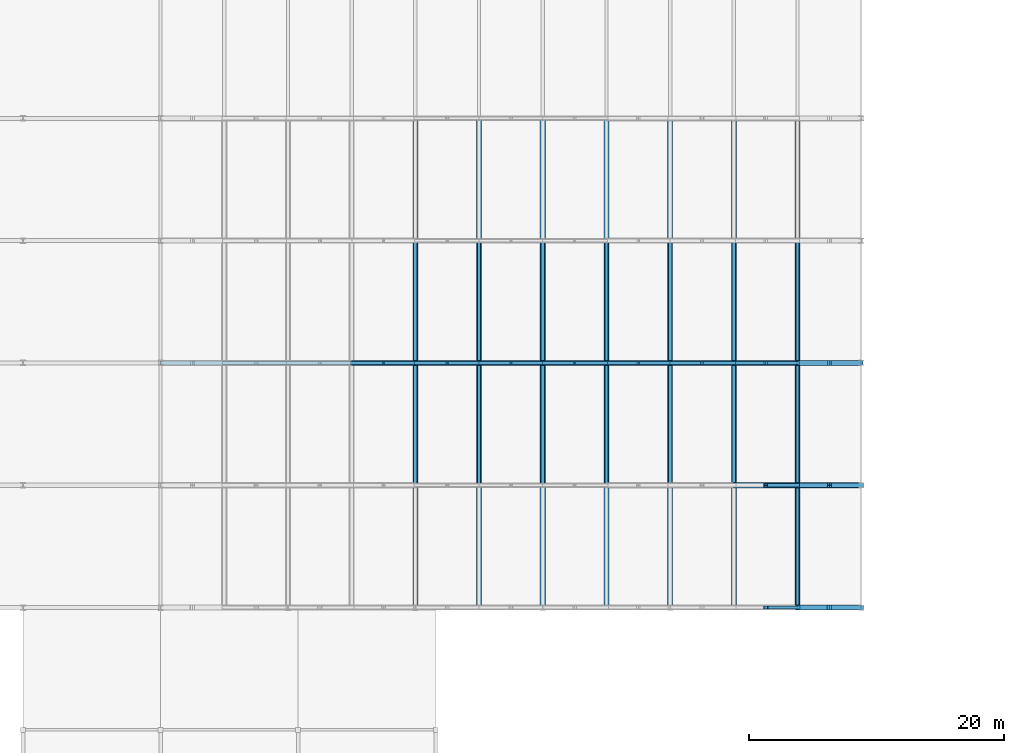
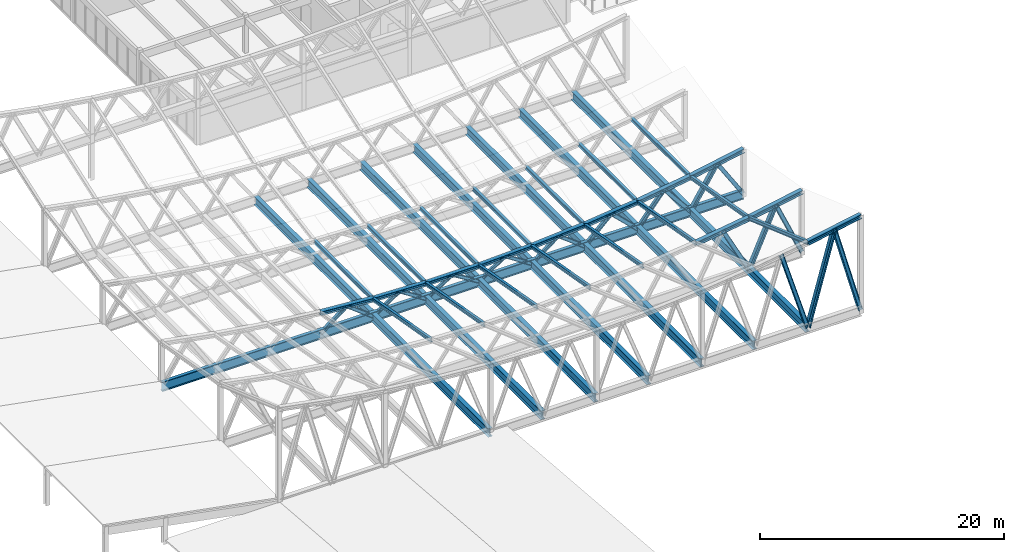
# One storey, part 9 of 40: 48 members, 8 beams, 1 element without a shape of its own.
"""IFC4 building model written with IfcOpenShell, lengths in metres."""

from ifc_helpers import new_model, si_unit, direction, frame, origin, origin_2d, place, context, subcontext, project, spatial, i_section, extrude, material, material_profile, profile_set, type_object, element, aggregate, save


model = new_model("IFC4")

# Units and contexts
model_context = context("Model", 3, precision=1e-05, world=origin(), true_north=direction((0.0, 1.0)))
body_context = subcontext(model_context, "Body", "Model", "MODEL_VIEW")
ifc_project = project(units=[si_unit("LENGTHUNIT", "METRE"), si_unit("AREAUNIT", "SQUARE_METRE"), si_unit("VOLUMEUNIT", "CUBIC_METRE"), si_unit("PLANEANGLEUNIT", "RADIAN"), si_unit("MASSUNIT", "GRAM", prefix="KILO")], contexts=[model_context])

# Site, building, storey
site_placement = place(None, origin())
site = spatial("IfcSite", under=ifc_project, at=site_placement, CompositionType="ELEMENT")
building_placement = place(site_placement, origin())
building = spatial("IfcBuilding", under=site, at=building_placement, Name="Veldera Park Congress Hotel", CompositionType="ELEMENT")
storey_placement = place(building_placement, frame((0.0, 0.0, 16.199951171875)))
storey = spatial("IfcBuildingStorey", under=building, at=storey_placement, Name="L03", CompositionType="ELEMENT", Elevation=16.199951171875)

# Beams
ifc_material_1 = material(Name="Steel ASTM A992 Gr.50", Category="steel")
ifc_material_profile_1 = material_profile(ifc_material_1, i_section(OverallWidth=0.40087890625, OverallDepth=0.85498046875, WebThickness=0.018310546875, FlangeThickness=0.029296875, at=origin_2d()), Name="W33X201")
ifc_profile_set_1 = profile_set([ifc_material_profile_1], Name="Steel ASTM A992 Gr.50")
beam_type_1 = type_object("IfcBeamType", Name="BM-W33", PredefinedType="BEAM", material=ifc_profile_set_1)
for number, where, z_axis, x_axis, name in (
    (1, (-47.39990234375, -21.0, 0.25), (0.0, 1.0, 0.0), (-1.0, 0.0, 0.0), "Plenary Space Frame Transverse Spine Girder 4"),
    (2, (-42.39990234375, -21.0, 0.25), (0.0, 1.0, 0.0), (-1.0, 0.0, 0.0), "Plenary Space Frame Transverse Spine Girder 5"),
    (3, (-37.39990234375, -21.0, 0.25), (0.0, 1.0, 0.0), (-1.0, 0.0, 0.0), "Plenary Space Frame Transverse Spine Girder 6"),
    (4, (-32.39990234375, -21.0, 0.25), (0.0, 1.0, 0.0), (-1.0, 0.0, 0.0), "Plenary Space Frame Transverse Spine Girder 7"),
    (5, (-27.39990234375, -21.0, 0.25), (0.0, 1.0, 0.0), (-1.0, 0.0, 0.0), "Plenary Space Frame Transverse Spine Girder 8"),
    (6, (-22.39990234375, -21.0, 0.25), (0.0, 1.0, 0.0), (-1.0, 0.0, 0.0), "Plenary Space Frame Transverse Spine Girder 9"),
    (7, (-17.39990234375, -21.0, 0.25), (0.0, 1.0, 0.0), (-1.0, 0.0, 0.0), "Plenary Space Frame Transverse Spine Girder 10"),
):
    element("IfcBeam", number, at=place(storey_placement, frame(where, z_axis=z_axis, x_axis=x_axis)), inside=storey, type_object=beam_type_1, Name=name, PredefinedType="BEAM", context=body_context, shape_type="SweptSolid", body=[
        extrude(i_section(OverallWidth=0.40087890625, OverallDepth=0.85498046875, WebThickness=0.018310546875, FlangeThickness=0.029296875, at=origin_2d()), origin(), (0.0, 0.0, 1.0), 38.39990234375),
    ])
ifc_material_profile_2 = material_profile(ifc_material_1, i_section(OverallWidth=0.31005859375, OverallDepth=0.949951171875, WebThickness=0.0244140625, FlangeThickness=0.0439453125, at=origin_2d()), Name="W36X256")
ifc_profile_set_2 = profile_set([ifc_material_profile_2], Name="Steel ASTM A992 Gr.50")
beam_type_2 = type_object("IfcBeamType", Name="BM-W36", PredefinedType="BEAM", material=ifc_profile_set_2)
beam_placement = place(storey_placement, frame((-67.39990234375, -1.800048828125, 0.25), z_axis=(1.0, 0.0, 0.0), x_axis=(0.0, 1.0, 0.0)))
element("IfcBeam", 8, at=beam_placement, inside=storey, type_object=beam_type_2, Name="Plenary Space Frame Main Bottom Tie Girder 3", PredefinedType="BEAM", context=body_context, shape_type="SweptSolid", body=[
    extrude(i_section(OverallWidth=0.31005859375, OverallDepth=0.949951171875, WebThickness=0.0244140625, FlangeThickness=0.0439453125, at=origin_2d()), origin(), (0.0, 0.0, 1.0), 55.0),
])

# Roof, members
ifc_material_2 = material(Name="Cross-laminated timber CLT V2M1.1", Category="wood")
roof_type = type_object("IfcRoofType", Name="ROOF-PAV", PredefinedType="PAVILION_ROOF", material=ifc_material_2)
roof_placement = place(storey_placement, origin())
roof = element("IfcRoof", 9, at=roof_placement, inside=storey, type_object=roof_type, Name="Plenary Congress Pavilion Sweeping Space Frame Roof", PredefinedType="PAVILION_ROOF")
ifc_material_profile_3 = material_profile(ifc_material_1, i_section(OverallWidth=0.3740234375, OverallDepth=0.3720703125, WebThickness=0.016357421875, FlangeThickness=0.026123046875, at=origin_2d()), Name="W14X132")
ifc_profile_set_3 = profile_set([ifc_material_profile_3], Name="Steel ASTM A992 Gr.50")
member_type_1 = type_object("IfcMemberType", Name="TR-CHD132", PredefinedType="CHORD", material=ifc_profile_set_3)
member_1_placement = place(storey_placement, frame((-47.39990234375, -1.800048828125, 1.968505859375), z_axis=(0.999315769236, 0.0, -0.036986394193), x_axis=(0.0, 1.0, 0.0)))
member_1 = element("IfcMember", 10, at=member_1_placement, type_object=member_type_1, Name="Plenary Roof Space Frame Top Chord 27", PredefinedType="CHORD", context=body_context, shape_type="SweptSolid", body=[
    extrude(i_section(OverallWidth=0.3740234375, OverallDepth=0.3720703125, WebThickness=0.016357421875, FlangeThickness=0.026123046875, at=origin_2d()), origin(), (0.0, 0.0, 1.0), 5.00341796875),
])
member_2_placement = place(storey_placement, frame((-42.39990234375, -1.800048828125, 1.783447265625), z_axis=(0.999999694824, 0.0, 0.000781249762), x_axis=(0.0, 1.0, 0.0)))
member_2 = element("IfcMember", 11, at=member_2_placement, type_object=member_type_1, Name="Plenary Roof Space Frame Top Chord 28", PredefinedType="CHORD", context=body_context, shape_type="SweptSolid", body=[
    extrude(i_section(OverallWidth=0.3740234375, OverallDepth=0.3720703125, WebThickness=0.016357421875, FlangeThickness=0.026123046875, at=origin_2d()), origin(), (0.0, 0.0, 1.0), 5.0),
])
member_3_placement = place(storey_placement, frame((-37.39990234375, -1.800048828125, 1.787353515625), z_axis=(0.999260597951, 0.0, 0.038448112851), x_axis=(0.0, 1.0, 0.0)))
member_3 = element("IfcMember", 12, at=member_3_placement, type_object=member_type_1, Name="Plenary Roof Space Frame Top Chord 29", PredefinedType="CHORD", context=body_context, shape_type="SweptSolid", body=[
    extrude(i_section(OverallWidth=0.3740234375, OverallDepth=0.3720703125, WebThickness=0.016357421875, FlangeThickness=0.026123046875, at=origin_2d()), origin(), (0.0, 0.0, 1.0), 5.003662109375),
])
ifc_material_profile_4 = material_profile(ifc_material_1, i_section(OverallWidth=0.39599609375, OverallDepth=0.381103515625, WebThickness=0.018798828125, FlangeThickness=0.0302734375, at=origin_2d()), Name="W14X159")
ifc_profile_set_4 = profile_set([ifc_material_profile_4], Name="Steel ASTM A992 Gr.50")
member_type_2 = type_object("IfcMemberType", Name="TR-CHD159", PredefinedType="CHORD", material=ifc_profile_set_4)
member_4_placement = place(storey_placement, frame((-52.39990234375, -1.800048828125, 2.342041015625), z_axis=(0.997221056601, 0.0, -0.074499424639), x_axis=(0.0, 1.0, 0.0)))
member_4 = element("IfcMember", 13, at=member_4_placement, type_object=member_type_2, Name="Plenary Roof Space Frame Top Chord 26", PredefinedType="CHORD", context=body_context, shape_type="SweptSolid", body=[
    extrude(i_section(OverallWidth=0.39599609375, OverallDepth=0.381103515625, WebThickness=0.018798828125, FlangeThickness=0.0302734375, at=origin_2d()), origin(), (0.0, 0.0, 1.0), 5.013916015625),
])
member_5_placement = place(storey_placement, frame((-32.39990234375, -1.800048828125, 1.979736328125), z_axis=(0.99710410734, 0.0, 0.076048662874), x_axis=(0.0, 1.0, 0.0)))
member_5 = element("IfcMember", 14, at=member_5_placement, type_object=member_type_2, Name="Plenary Roof Space Frame Top Chord 30", PredefinedType="CHORD", context=body_context, shape_type="SweptSolid", body=[
    extrude(i_section(OverallWidth=0.39599609375, OverallDepth=0.381103515625, WebThickness=0.018798828125, FlangeThickness=0.0302734375, at=origin_2d()), origin(), (0.0, 0.0, 1.0), 5.014404296875),
])
ifc_material_profile_5 = material_profile(ifc_material_1, i_section(OverallWidth=0.39697265625, OverallDepth=0.386962890625, WebThickness=0.02099609375, FlangeThickness=0.033203125, at=origin_2d()), Name="W14X176")
ifc_profile_set_5 = profile_set([ifc_material_profile_5], Name="Steel ASTM A992 Gr.50")
member_type_3 = type_object("IfcMemberType", Name="TR-CHD176", PredefinedType="CHORD", material=ifc_profile_set_5)
member_6_placement = place(storey_placement, frame((-27.39990234375, -1.800048828125, 2.361083984375), z_axis=(0.993563129002, 0.0, 0.113279780577), x_axis=(0.0, 1.0, 0.0)))
member_6 = element("IfcMember", 15, at=member_6_placement, type_object=member_type_3, Name="Plenary Roof Space Frame Top Chord 31", PredefinedType="CHORD", context=body_context, shape_type="SweptSolid", body=[
    extrude(i_section(OverallWidth=0.39697265625, OverallDepth=0.386962890625, WebThickness=0.02099609375, FlangeThickness=0.033203125, at=origin_2d()), origin(), (0.0, 0.0, 1.0), 5.032470703125),
])
ifc_material_profile_6 = material_profile(ifc_material_1, i_section(OverallWidth=0.40087890625, OverallDepth=0.39892578125, WebThickness=0.02490234375, FlangeThickness=0.03955078125, at=origin_2d()), Name="W14X211")
ifc_profile_set_6 = profile_set([ifc_material_profile_6], Name="Steel ASTM A992 Gr.50")
member_type_4 = type_object("IfcMemberType", Name="TR-CHD211", PredefinedType="CHORD", material=ifc_profile_set_6)
member_7_placement = place(storey_placement, frame((-22.39990234375, -11.39990234375, 4.62451171875), z_axis=(0.98868710173, 0.0, 0.149992716068), x_axis=(0.0, 1.0, 0.0)))
member_7 = element("IfcMember", 16, at=member_7_placement, type_object=member_type_4, Name="Plenary Roof Space Frame Top Chord 21", PredefinedType="CHORD", context=body_context, shape_type="SweptSolid", body=[
    extrude(i_section(OverallWidth=0.40087890625, OverallDepth=0.39892578125, WebThickness=0.02490234375, FlangeThickness=0.03955078125, at=origin_2d()), origin(), (0.0, 0.0, 1.0), 5.05712890625),
])
member_8_placement = place(storey_placement, frame((-22.39990234375, -1.800048828125, 2.93115234375), z_axis=(0.98868710173, 0.0, 0.149992716068), x_axis=(0.0, 1.0, 0.0)))
member_8 = element("IfcMember", 17, at=member_8_placement, type_object=member_type_4, Name="Plenary Roof Space Frame Top Chord 32", PredefinedType="CHORD", context=body_context, shape_type="SweptSolid", body=[
    extrude(i_section(OverallWidth=0.40087890625, OverallDepth=0.39892578125, WebThickness=0.02490234375, FlangeThickness=0.03955078125, at=origin_2d()), origin(), (0.0, 0.0, 1.0), 5.05712890625),
])
ifc_material_profile_7 = material_profile(ifc_material_1, i_section(OverallWidth=0.404052734375, OverallDepth=0.406982421875, WebThickness=0.027099609375, FlangeThickness=0.043701171875, at=origin_2d()), Name="W14X233")
ifc_profile_set_7 = profile_set([ifc_material_profile_7], Name="Steel ASTM A992 Gr.50")
member_type_5 = type_object("IfcMemberType", Name="TR-CHD233", PredefinedType="CHORD", material=ifc_profile_set_7)
member_9_placement = place(storey_placement, frame((-17.39990234375, -21.0, 8.77001953125), z_axis=(0.982514072984, 0.0, 0.186188335803), x_axis=(0.0, 1.0, 0.0)))
member_9 = element("IfcMember", 18, at=member_9_placement, type_object=member_type_5, Name="Plenary Roof Space Frame Top Chord 11", PredefinedType="CHORD", context=body_context, shape_type="SweptSolid", body=[
    extrude(i_section(OverallWidth=0.404052734375, OverallDepth=0.406982421875, WebThickness=0.027099609375, FlangeThickness=0.043701171875, at=origin_2d()), origin(), (0.0, 0.0, 1.0), 5.0888671875),
])
member_10_placement = place(storey_placement, frame((-17.39990234375, -11.39990234375, 5.383056640625), z_axis=(0.982514072984, 0.0, 0.186188335803), x_axis=(0.0, 1.0, 0.0)))
member_10 = element("IfcMember", 19, at=member_10_placement, type_object=member_type_5, Name="Plenary Roof Space Frame Top Chord 22", PredefinedType="CHORD", context=body_context, shape_type="SweptSolid", body=[
    extrude(i_section(OverallWidth=0.404052734375, OverallDepth=0.406982421875, WebThickness=0.027099609375, FlangeThickness=0.043701171875, at=origin_2d()), origin(), (0.0, 0.0, 1.0), 5.0888671875),
])
member_11_placement = place(storey_placement, frame((-17.39990234375, -1.800048828125, 3.689697265625), z_axis=(0.982514072984, 0.0, 0.186188335803), x_axis=(0.0, 1.0, 0.0)))
member_11 = element("IfcMember", 20, at=member_11_placement, type_object=member_type_5, Name="Plenary Roof Space Frame Top Chord 33", PredefinedType="CHORD", context=body_context, shape_type="SweptSolid", body=[
    extrude(i_section(OverallWidth=0.404052734375, OverallDepth=0.406982421875, WebThickness=0.027099609375, FlangeThickness=0.043701171875, at=origin_2d()), origin(), (0.0, 0.0, 1.0), 5.0888671875),
])
ifc_material_profile_8 = material_profile(ifc_material_1, i_section(OverallWidth=0.205078125, OverallDepth=0.31005859375, WebThickness=0.009521484375, FlangeThickness=0.016357421875, at=origin_2d()), Name="W12X50")
ifc_profile_set_8 = profile_set([ifc_material_profile_8], Name="Steel ASTM A992 Gr.50")
member_type_6 = type_object("IfcMemberType", Name="TR-WEB50", PredefinedType="MEMBER", material=ifc_profile_set_8)
member_12_placement = place(storey_placement, frame((-47.39990234375, -1.800048828125, 0.25), z_axis=(0.838293955121, 0.0, 0.545218529405), x_axis=(0.0, 1.0, 0.0)))
member_12 = element("IfcMember", 21, at=member_12_placement, type_object=member_type_6, Name="Plenary Roof Space Frame Web A 27", PredefinedType="MEMBER", context=body_context, shape_type="SweptSolid", body=[
    extrude(i_section(OverallWidth=0.205078125, OverallDepth=0.31005859375, WebThickness=0.009521484375, FlangeThickness=0.016357421875, at=origin_2d()), origin(), (0.0, 0.0, 1.0), 2.982177734375),
])
member_13_placement = place(storey_placement, frame((-42.39990234375, -1.800048828125, 0.25), z_axis=(-0.838293955121, 0.0, 0.545218529405), x_axis=(0.0, -1.0, 0.0)))
member_13 = element("IfcMember", 22, at=member_13_placement, type_object=member_type_6, Name="Plenary Roof Space Frame Web B 27", PredefinedType="MEMBER", context=body_context, shape_type="SweptSolid", body=[
    extrude(i_section(OverallWidth=0.205078125, OverallDepth=0.31005859375, WebThickness=0.009521484375, FlangeThickness=0.016357421875, at=origin_2d()), origin(), (0.0, 0.0, 1.0), 2.982177734375),
])
member_14_placement = place(storey_placement, frame((-42.39990234375, -1.800048828125, 0.25), z_axis=(0.852123699887, 0.0, 0.523340424667), x_axis=(0.0, 1.0, 0.0)))
member_14 = element("IfcMember", 23, at=member_14_placement, type_object=member_type_6, Name="Plenary Roof Space Frame Web A 28", PredefinedType="MEMBER", context=body_context, shape_type="SweptSolid", body=[
    extrude(i_section(OverallWidth=0.205078125, OverallDepth=0.31005859375, WebThickness=0.009521484375, FlangeThickness=0.016357421875, at=origin_2d()), origin(), (0.0, 0.0, 1.0), 2.933837890625),
])
member_15_placement = place(storey_placement, frame((-37.39990234375, -1.800048828125, 0.25), z_axis=(-0.852123699887, 0.0, 0.523340424667), x_axis=(0.0, -1.0, 0.0)))
member_15 = element("IfcMember", 24, at=member_15_placement, type_object=member_type_6, Name="Plenary Roof Space Frame Web B 28", PredefinedType="MEMBER", context=body_context, shape_type="SweptSolid", body=[
    extrude(i_section(OverallWidth=0.205078125, OverallDepth=0.31005859375, WebThickness=0.009521484375, FlangeThickness=0.016357421875, at=origin_2d()), origin(), (0.0, 0.0, 1.0), 2.933837890625),
])
member_16_placement = place(storey_placement, frame((-37.39990234375, -1.800048828125, 0.25), z_axis=(0.837133756726, 0.0, 0.546998238892), x_axis=(0.0, 1.0, 0.0)))
member_16 = element("IfcMember", 25, at=member_16_placement, type_object=member_type_6, Name="Plenary Roof Space Frame Web A 29", PredefinedType="MEMBER", context=body_context, shape_type="SweptSolid", body=[
    extrude(i_section(OverallWidth=0.205078125, OverallDepth=0.31005859375, WebThickness=0.009521484375, FlangeThickness=0.016357421875, at=origin_2d()), origin(), (0.0, 0.0, 1.0), 2.986328125),
])
member_17_placement = place(storey_placement, frame((-32.39990234375, -1.800048828125, 0.25), z_axis=(-0.837133756726, 0.0, 0.546998238892), x_axis=(0.0, -1.0, 0.0)))
member_17 = element("IfcMember", 26, at=member_17_placement, type_object=member_type_6, Name="Plenary Roof Space Frame Web B 29", PredefinedType="MEMBER", context=body_context, shape_type="SweptSolid", body=[
    extrude(i_section(OverallWidth=0.205078125, OverallDepth=0.31005859375, WebThickness=0.009521484375, FlangeThickness=0.016357421875, at=origin_2d()), origin(), (0.0, 0.0, 1.0), 2.986328125),
])
ifc_material_profile_9 = material_profile(ifc_material_1, i_section(OverallWidth=0.25390625, OverallDepth=0.31005859375, WebThickness=0.009033203125, FlangeThickness=0.016357421875, at=origin_2d()), Name="W12X58")
ifc_profile_set_9 = profile_set([ifc_material_profile_9], Name="Steel ASTM A992 Gr.50")
member_type_7 = type_object("IfcMemberType", Name="TR-WEB58", PredefinedType="MEMBER", material=ifc_profile_set_9)
member_18_placement = place(storey_placement, frame((-52.39990234375, -1.800048828125, 0.25), z_axis=(0.795353262096, 0.0, 0.60614617748), x_axis=(0.0, 1.0, 0.0)))
member_18 = element("IfcMember", 27, at=member_18_placement, type_object=member_type_7, Name="Plenary Roof Space Frame Web A 26", PredefinedType="MEMBER", context=body_context, shape_type="SweptSolid", body=[
    extrude(i_section(OverallWidth=0.25390625, OverallDepth=0.31005859375, WebThickness=0.009033203125, FlangeThickness=0.016357421875, at=origin_2d()), origin(), (0.0, 0.0, 1.0), 3.143310546875),
])
member_19_placement = place(storey_placement, frame((-47.39990234375, -1.800048828125, 0.25), z_axis=(-0.795353262096, 0.0, 0.60614617748), x_axis=(0.0, -1.0, 0.0)))
member_19 = element("IfcMember", 28, at=member_19_placement, type_object=member_type_7, Name="Plenary Roof Space Frame Web B 26", PredefinedType="MEMBER", context=body_context, shape_type="SweptSolid", body=[
    extrude(i_section(OverallWidth=0.25390625, OverallDepth=0.31005859375, WebThickness=0.009033203125, FlangeThickness=0.016357421875, at=origin_2d()), origin(), (0.0, 0.0, 1.0), 3.143310546875),
])
member_20_placement = place(storey_placement, frame((-32.39990234375, -1.800048828125, 0.25), z_axis=(0.793032626251, 0.0, 0.609179163876), x_axis=(0.0, 1.0, 0.0)))
member_20 = element("IfcMember", 29, at=member_20_placement, type_object=member_type_7, Name="Plenary Roof Space Frame Web A 30", PredefinedType="MEMBER", context=body_context, shape_type="SweptSolid", body=[
    extrude(i_section(OverallWidth=0.25390625, OverallDepth=0.31005859375, WebThickness=0.009033203125, FlangeThickness=0.016357421875, at=origin_2d()), origin(), (0.0, 0.0, 1.0), 3.15234375),
])
member_21_placement = place(storey_placement, frame((-27.39990234375, -1.800048828125, 0.25), z_axis=(-0.793032626251, 0.0, 0.609179163876), x_axis=(0.0, -1.0, 0.0)))
member_21 = element("IfcMember", 30, at=member_21_placement, type_object=member_type_7, Name="Plenary Roof Space Frame Web B 30", PredefinedType="MEMBER", context=body_context, shape_type="SweptSolid", body=[
    extrude(i_section(OverallWidth=0.25390625, OverallDepth=0.31005859375, WebThickness=0.009033203125, FlangeThickness=0.016357421875, at=origin_2d()), origin(), (0.0, 0.0, 1.0), 3.15234375),
])
ifc_material_profile_10 = material_profile(ifc_material_1, i_section(OverallWidth=0.25390625, OverallDepth=0.35595703125, WebThickness=0.010498046875, FlangeThickness=0.018310546875, at=origin_2d()), Name="W14X68")
ifc_profile_set_10 = profile_set([ifc_material_profile_10], Name="Steel ASTM A992 Gr.50")
member_type_8 = type_object("IfcMemberType", Name="TR-WEB68", PredefinedType="MEMBER", material=ifc_profile_set_10)
member_22_placement = place(storey_placement, frame((-27.39990234375, -1.800048828125, 0.25), z_axis=(0.721964724512, 0.0, 0.691929863903), x_axis=(0.0, 1.0, 0.0)))
member_22 = element("IfcMember", 31, at=member_22_placement, type_object=member_type_8, Name="Plenary Roof Space Frame Web A 31", PredefinedType="MEMBER", context=body_context, shape_type="SweptSolid", body=[
    extrude(i_section(OverallWidth=0.25390625, OverallDepth=0.35595703125, WebThickness=0.010498046875, FlangeThickness=0.018310546875, at=origin_2d()), origin(), (0.0, 0.0, 1.0), 3.462890625),
])
member_23_placement = place(storey_placement, frame((-22.39990234375, -1.800048828125, 0.25), z_axis=(-0.721964724512, 0.0, 0.691929863903), x_axis=(0.0, -1.0, 0.0)))
member_23 = element("IfcMember", 32, at=member_23_placement, type_object=member_type_8, Name="Plenary Roof Space Frame Web B 31", PredefinedType="MEMBER", context=body_context, shape_type="SweptSolid", body=[
    extrude(i_section(OverallWidth=0.25390625, OverallDepth=0.35595703125, WebThickness=0.010498046875, FlangeThickness=0.018310546875, at=origin_2d()), origin(), (0.0, 0.0, 1.0), 3.462890625),
])
member_24_placement = place(storey_placement, frame((-47.39990234375, -11.39990234375, 3.661865234375), z_axis=(0.0, 0.984796414822, -0.173712467465), x_axis=(-1.0, 0.0, 0.0)))
member_24 = element("IfcMember", 33, at=member_24_placement, type_object=member_type_8, Name="Plenary Space Frame Cross Chord 88", PredefinedType="MEMBER", context=body_context, shape_type="SweptSolid", body=[
    extrude(i_section(OverallWidth=0.25390625, OverallDepth=0.35595703125, WebThickness=0.010498046875, FlangeThickness=0.018310546875, at=origin_2d()), origin(), (0.0, 0.0, 1.0), 9.748046875),
])
member_25_placement = place(storey_placement, frame((-47.39990234375, -1.800048828125, 1.968505859375), z_axis=(0.0, 1.0, 0.0), x_axis=(-1.0, 0.0, 0.0)))
member_25 = element("IfcMember", 34, at=member_25_placement, type_object=member_type_8, Name="Plenary Space Frame Cross Chord 89", PredefinedType="MEMBER", context=body_context, shape_type="SweptSolid", body=[
    extrude(i_section(OverallWidth=0.25390625, OverallDepth=0.35595703125, WebThickness=0.010498046875, FlangeThickness=0.018310546875, at=origin_2d()), origin(), (0.0, 0.0, 1.0), 9.60009765625),
])
member_26_placement = place(storey_placement, frame((-42.39990234375, -11.39990234375, 3.47705078125), z_axis=(0.0, 0.984792130049, -0.173736756597), x_axis=(-1.0, 0.0, 0.0)))
member_26 = element("IfcMember", 35, at=member_26_placement, type_object=member_type_8, Name="Plenary Space Frame Cross Chord 93", PredefinedType="MEMBER", context=body_context, shape_type="SweptSolid", body=[
    extrude(i_section(OverallWidth=0.25390625, OverallDepth=0.35595703125, WebThickness=0.010498046875, FlangeThickness=0.018310546875, at=origin_2d()), origin(), (0.0, 0.0, 1.0), 9.748046875),
])
member_27_placement = place(storey_placement, frame((-42.39990234375, -1.800048828125, 1.783447265625), z_axis=(0.0, 1.0, 0.0), x_axis=(-1.0, 0.0, 0.0)))
member_27 = element("IfcMember", 36, at=member_27_placement, type_object=member_type_8, Name="Plenary Space Frame Cross Chord 94", PredefinedType="MEMBER", context=body_context, shape_type="SweptSolid", body=[
    extrude(i_section(OverallWidth=0.25390625, OverallDepth=0.35595703125, WebThickness=0.010498046875, FlangeThickness=0.018310546875, at=origin_2d()), origin(), (0.0, 0.0, 1.0), 9.60009765625),
])
member_28_placement = place(storey_placement, frame((-37.39990234375, -11.39990234375, 3.480712890625), z_axis=(0.0, 0.984796414822, -0.173712467465), x_axis=(-1.0, 0.0, 0.0)))
member_28 = element("IfcMember", 37, at=member_28_placement, type_object=member_type_8, Name="Plenary Space Frame Cross Chord 98", PredefinedType="MEMBER", context=body_context, shape_type="SweptSolid", body=[
    extrude(i_section(OverallWidth=0.25390625, OverallDepth=0.35595703125, WebThickness=0.010498046875, FlangeThickness=0.018310546875, at=origin_2d()), origin(), (0.0, 0.0, 1.0), 9.748046875),
])
member_29_placement = place(storey_placement, frame((-37.39990234375, -1.800048828125, 1.787353515625), z_axis=(0.0, 1.0, 0.0), x_axis=(-1.0, 0.0, 0.0)))
member_29 = element("IfcMember", 38, at=member_29_placement, type_object=member_type_8, Name="Plenary Space Frame Cross Chord 99", PredefinedType="MEMBER", context=body_context, shape_type="SweptSolid", body=[
    extrude(i_section(OverallWidth=0.25390625, OverallDepth=0.35595703125, WebThickness=0.010498046875, FlangeThickness=0.018310546875, at=origin_2d()), origin(), (0.0, 0.0, 1.0), 9.60009765625),
])
member_30_placement = place(storey_placement, frame((-32.39990234375, -11.39990234375, 3.67333984375), z_axis=(0.0, 0.984792130049, -0.173736756597), x_axis=(-1.0, 0.0, 0.0)))
member_30 = element("IfcMember", 39, at=member_30_placement, type_object=member_type_8, Name="Plenary Space Frame Cross Chord 103", PredefinedType="MEMBER", context=body_context, shape_type="SweptSolid", body=[
    extrude(i_section(OverallWidth=0.25390625, OverallDepth=0.35595703125, WebThickness=0.010498046875, FlangeThickness=0.018310546875, at=origin_2d()), origin(), (0.0, 0.0, 1.0), 9.748046875),
])
member_31_placement = place(storey_placement, frame((-32.39990234375, -1.800048828125, 1.979736328125), z_axis=(0.0, 1.0, 0.0), x_axis=(-1.0, 0.0, 0.0)))
member_31 = element("IfcMember", 40, at=member_31_placement, type_object=member_type_8, Name="Plenary Space Frame Cross Chord 104", PredefinedType="MEMBER", context=body_context, shape_type="SweptSolid", body=[
    extrude(i_section(OverallWidth=0.25390625, OverallDepth=0.35595703125, WebThickness=0.010498046875, FlangeThickness=0.018310546875, at=origin_2d()), origin(), (0.0, 0.0, 1.0), 9.60009765625),
])
member_32_placement = place(storey_placement, frame((-27.39990234375, -11.39990234375, 4.054443359375), z_axis=(0.0, 0.984796414822, -0.173712467465), x_axis=(-1.0, 0.0, 0.0)))
member_32 = element("IfcMember", 41, at=member_32_placement, type_object=member_type_8, Name="Plenary Space Frame Cross Chord 108", PredefinedType="MEMBER", context=body_context, shape_type="SweptSolid", body=[
    extrude(i_section(OverallWidth=0.25390625, OverallDepth=0.35595703125, WebThickness=0.010498046875, FlangeThickness=0.018310546875, at=origin_2d()), origin(), (0.0, 0.0, 1.0), 9.748046875),
])
member_33_placement = place(storey_placement, frame((-27.39990234375, -1.800048828125, 2.361083984375), z_axis=(0.0, 1.0, 0.0), x_axis=(-1.0, 0.0, 0.0)))
member_33 = element("IfcMember", 42, at=member_33_placement, type_object=member_type_8, Name="Plenary Space Frame Cross Chord 109", PredefinedType="MEMBER", context=body_context, shape_type="SweptSolid", body=[
    extrude(i_section(OverallWidth=0.25390625, OverallDepth=0.35595703125, WebThickness=0.010498046875, FlangeThickness=0.018310546875, at=origin_2d()), origin(), (0.0, 0.0, 1.0), 9.60009765625),
])
member_34_placement = place(storey_placement, frame((-22.39990234375, -11.39990234375, 4.62451171875), z_axis=(0.0, 0.984796414822, -0.173712467465), x_axis=(-1.0, 0.0, 0.0)))
member_34 = element("IfcMember", 43, at=member_34_placement, type_object=member_type_8, Name="Plenary Space Frame Cross Chord 113", PredefinedType="MEMBER", context=body_context, shape_type="SweptSolid", body=[
    extrude(i_section(OverallWidth=0.25390625, OverallDepth=0.35595703125, WebThickness=0.010498046875, FlangeThickness=0.018310546875, at=origin_2d()), origin(), (0.0, 0.0, 1.0), 9.748046875),
])
member_35_placement = place(storey_placement, frame((-22.39990234375, -1.800048828125, 2.93115234375), z_axis=(0.0, 1.0, 0.0), x_axis=(-1.0, 0.0, 0.0)))
member_35 = element("IfcMember", 44, at=member_35_placement, type_object=member_type_8, Name="Plenary Space Frame Cross Chord 114", PredefinedType="MEMBER", context=body_context, shape_type="SweptSolid", body=[
    extrude(i_section(OverallWidth=0.25390625, OverallDepth=0.35595703125, WebThickness=0.010498046875, FlangeThickness=0.018310546875, at=origin_2d()), origin(), (0.0, 0.0, 1.0), 9.60009765625),
])
member_36_placement = place(storey_placement, frame((-17.39990234375, -21.0, 8.77001953125), z_axis=(0.0, 0.943030616878, -0.332705959716), x_axis=(-1.0, 0.0, 0.0)))
member_36 = element("IfcMember", 45, at=member_36_placement, type_object=member_type_8, Name="Plenary Space Frame Cross Chord 117", PredefinedType="MEMBER", context=body_context, shape_type="SweptSolid", body=[
    extrude(i_section(OverallWidth=0.25390625, OverallDepth=0.35595703125, WebThickness=0.010498046875, FlangeThickness=0.018310546875, at=origin_2d()), origin(), (0.0, 0.0, 1.0), 10.179931640625),
])
member_37_placement = place(storey_placement, frame((-17.39990234375, -11.39990234375, 5.383056640625), z_axis=(0.0, 0.984796414822, -0.173712467465), x_axis=(-1.0, 0.0, 0.0)))
member_37 = element("IfcMember", 46, at=member_37_placement, type_object=member_type_8, Name="Plenary Space Frame Cross Chord 118", PredefinedType="MEMBER", context=body_context, shape_type="SweptSolid", body=[
    extrude(i_section(OverallWidth=0.25390625, OverallDepth=0.35595703125, WebThickness=0.010498046875, FlangeThickness=0.018310546875, at=origin_2d()), origin(), (0.0, 0.0, 1.0), 9.748046875),
])
member_38_placement = place(storey_placement, frame((-17.39990234375, -1.800048828125, 3.689697265625), z_axis=(0.0, 1.0, 0.0), x_axis=(-1.0, 0.0, 0.0)))
member_38 = element("IfcMember", 47, at=member_38_placement, type_object=member_type_8, Name="Plenary Space Frame Cross Chord 119", PredefinedType="MEMBER", context=body_context, shape_type="SweptSolid", body=[
    extrude(i_section(OverallWidth=0.25390625, OverallDepth=0.35595703125, WebThickness=0.010498046875, FlangeThickness=0.018310546875, at=origin_2d()), origin(), (0.0, 0.0, 1.0), 9.60009765625),
])
ifc_material_profile_11 = material_profile(ifc_material_1, i_section(OverallWidth=0.257080078125, OverallDepth=0.363037109375, WebThickness=0.012939453125, FlangeThickness=0.021728515625, at=origin_2d()), Name="W14X82")
ifc_profile_set_11 = profile_set([ifc_material_profile_11], Name="Steel ASTM A992 Gr.50")
member_type_9 = type_object("IfcMemberType", Name="TR-WEB82", PredefinedType="MEMBER", material=ifc_profile_set_11)
member_39_placement = place(storey_placement, frame((-17.39990234375, -21.0, 0.25), z_axis=(-0.29356202952, 0.0, 0.955940026792), x_axis=(0.0, -1.0, 0.0)))
member_39 = element("IfcMember", 48, at=member_39_placement, type_object=member_type_9, Name="Plenary Roof Space Frame Web B 10", PredefinedType="MEMBER", context=body_context, shape_type="SweptSolid", body=[
    extrude(i_section(OverallWidth=0.257080078125, OverallDepth=0.363037109375, WebThickness=0.012939453125, FlangeThickness=0.021728515625, at=origin_2d()), origin(), (0.0, 0.0, 1.0), 8.51611328125),
])
member_40_placement = place(storey_placement, frame((-17.39990234375, -11.39990234375, 0.25), z_axis=(-0.465465393137, 0.0, 0.885066081031), x_axis=(0.0, -1.0, 0.0)))
member_40 = element("IfcMember", 49, at=member_40_placement, type_object=member_type_9, Name="Plenary Roof Space Frame Web B 21", PredefinedType="MEMBER", context=body_context, shape_type="SweptSolid", body=[
    extrude(i_section(OverallWidth=0.257080078125, OverallDepth=0.363037109375, WebThickness=0.012939453125, FlangeThickness=0.021728515625, at=origin_2d()), origin(), (0.0, 0.0, 1.0), 5.370849609375),
])
member_41_placement = place(storey_placement, frame((-22.39990234375, -1.800048828125, 0.25), z_axis=(0.632618572795, 0.0, 0.774463518414), x_axis=(0.0, 1.0, 0.0)))
member_41 = element("IfcMember", 50, at=member_41_placement, type_object=member_type_9, Name="Plenary Roof Space Frame Web A 32", PredefinedType="MEMBER", context=body_context, shape_type="SweptSolid", body=[
    extrude(i_section(OverallWidth=0.257080078125, OverallDepth=0.363037109375, WebThickness=0.012939453125, FlangeThickness=0.021728515625, at=origin_2d()), origin(), (0.0, 0.0, 1.0), 3.951904296875),
])
member_42_placement = place(storey_placement, frame((-17.39990234375, -1.800048828125, 0.25), z_axis=(-0.632618572795, 0.0, 0.774463518414), x_axis=(0.0, -1.0, 0.0)))
member_42 = element("IfcMember", 51, at=member_42_placement, type_object=member_type_9, Name="Plenary Roof Space Frame Web B 32", PredefinedType="MEMBER", context=body_context, shape_type="SweptSolid", body=[
    extrude(i_section(OverallWidth=0.257080078125, OverallDepth=0.363037109375, WebThickness=0.012939453125, FlangeThickness=0.021728515625, at=origin_2d()), origin(), (0.0, 0.0, 1.0), 3.951904296875),
])
ifc_material_profile_12 = material_profile(ifc_material_1, i_section(OverallWidth=0.368896484375, OverallDepth=0.35595703125, WebThickness=0.01123046875, FlangeThickness=0.01806640625, at=origin_2d()), Name="W14X90")
ifc_profile_set_12 = profile_set([ifc_material_profile_12], Name="Steel ASTM A992 Gr.50")
member_type_10 = type_object("IfcMemberType", Name="TR-WEB90", PredefinedType="MEMBER", material=ifc_profile_set_12)
member_43_placement = place(storey_placement, frame((-17.39990234375, -21.0, 0.25), z_axis=(0.267812471475, 0.0, 0.963471058269), x_axis=(0.0, 1.0, 0.0)))
member_43 = element("IfcMember", 52, at=member_43_placement, type_object=member_type_10, Name="Plenary Roof Space Frame Web A 11", PredefinedType="MEMBER", context=body_context, shape_type="SweptSolid", body=[
    extrude(i_section(OverallWidth=0.368896484375, OverallDepth=0.35595703125, WebThickness=0.01123046875, FlangeThickness=0.01806640625, at=origin_2d()), origin(), (0.0, 0.0, 1.0), 9.3349609375),
])
member_44_placement = place(storey_placement, frame((-12.39990234375, -21.0, 0.25), z_axis=(-0.267812471475, 0.0, 0.963471058269), x_axis=(0.0, -1.0, 0.0)))
member_44 = element("IfcMember", 53, at=member_44_placement, type_object=member_type_10, Name="Plenary Roof Space Frame Web B 11", PredefinedType="MEMBER", context=body_context, shape_type="SweptSolid", body=[
    extrude(i_section(OverallWidth=0.368896484375, OverallDepth=0.35595703125, WebThickness=0.01123046875, FlangeThickness=0.01806640625, at=origin_2d()), origin(), (0.0, 0.0, 1.0), 9.3349609375),
])
member_45_placement = place(storey_placement, frame((-17.39990234375, -11.39990234375, 0.25), z_axis=(0.407230377279, 0.0, 0.913325473104), x_axis=(0.0, 1.0, 0.0)))
member_45 = element("IfcMember", 54, at=member_45_placement, type_object=member_type_10, Name="Plenary Roof Space Frame Web A 22", PredefinedType="MEMBER", context=body_context, shape_type="SweptSolid", body=[
    extrude(i_section(OverallWidth=0.368896484375, OverallDepth=0.35595703125, WebThickness=0.01123046875, FlangeThickness=0.01806640625, at=origin_2d()), origin(), (0.0, 0.0, 1.0), 6.138916015625),
])
member_46_placement = place(storey_placement, frame((-12.39990234375, -11.39990234375, 0.25), z_axis=(-0.407230377279, 0.0, 0.913325473104), x_axis=(0.0, -1.0, 0.0)))
member_46 = element("IfcMember", 55, at=member_46_placement, type_object=member_type_10, Name="Plenary Roof Space Frame Web B 22", PredefinedType="MEMBER", context=body_context, shape_type="SweptSolid", body=[
    extrude(i_section(OverallWidth=0.368896484375, OverallDepth=0.35595703125, WebThickness=0.01123046875, FlangeThickness=0.01806640625, at=origin_2d()), origin(), (0.0, 0.0, 1.0), 6.138916015625),
])
member_47_placement = place(storey_placement, frame((-17.39990234375, -1.800048828125, 0.25), z_axis=(0.538337424234, 0.0, 0.842729385787), x_axis=(0.0, 1.0, 0.0)))
member_47 = element("IfcMember", 56, at=member_47_placement, type_object=member_type_10, Name="Plenary Roof Space Frame Web A 33", PredefinedType="MEMBER", context=body_context, shape_type="SweptSolid", body=[
    extrude(i_section(OverallWidth=0.368896484375, OverallDepth=0.35595703125, WebThickness=0.01123046875, FlangeThickness=0.01806640625, at=origin_2d()), origin(), (0.0, 0.0, 1.0), 4.64404296875),
])
member_48_placement = place(storey_placement, frame((-12.39990234375, -1.800048828125, 0.25), z_axis=(-0.538337424234, 0.0, 0.842729385787), x_axis=(0.0, -1.0, 0.0)))
member_48 = element("IfcMember", 57, at=member_48_placement, type_object=member_type_10, Name="Plenary Roof Space Frame Web B 33", PredefinedType="MEMBER", context=body_context, shape_type="SweptSolid", body=[
    extrude(i_section(OverallWidth=0.368896484375, OverallDepth=0.35595703125, WebThickness=0.01123046875, FlangeThickness=0.01806640625, at=origin_2d()), origin(), (0.0, 0.0, 1.0), 4.64404296875),
])
aggregate(roof, [member_39, member_43, member_44, member_9, member_40, member_7, member_45, member_46, member_10, member_18, member_19, member_4, member_12, member_13, member_1, member_14, member_15, member_2, member_16, member_17, member_3, member_20, member_21, member_5, member_22, member_23, member_6, member_41, member_42, member_8, member_47, member_48, member_11, member_24, member_25, member_26, member_27, member_28, member_29, member_30, member_31, member_32, member_33, member_34, member_35, member_36, member_37, member_38])

save(model, "model.ifc")
